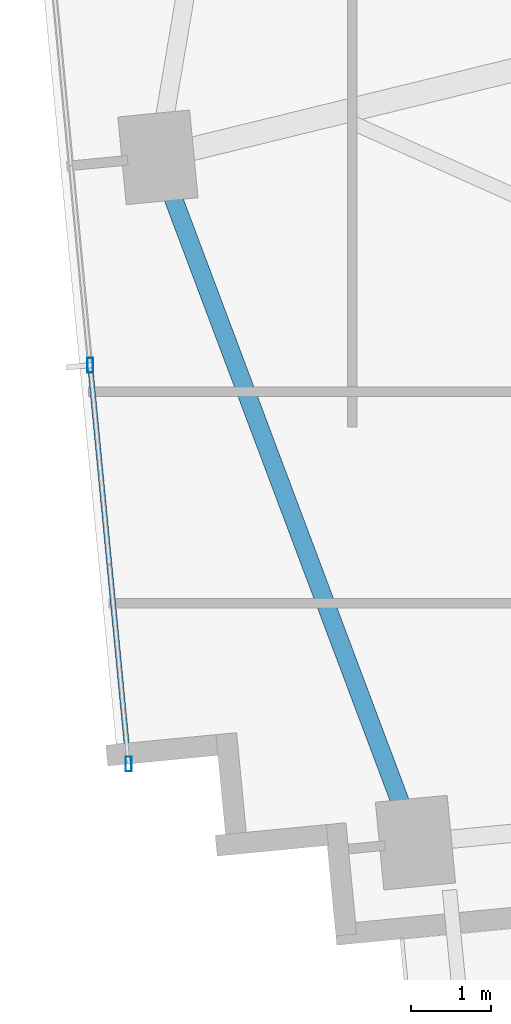
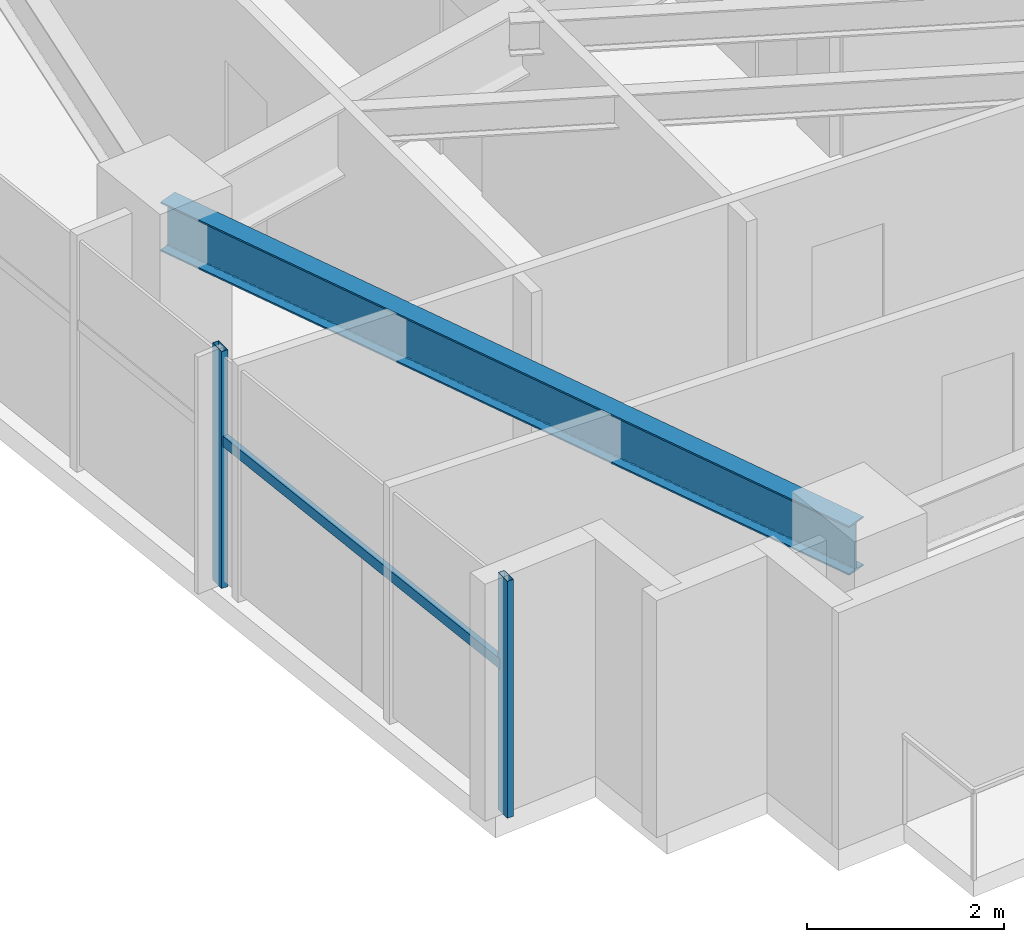
# One storey, part 2 of 25: 3 members, 1 beam, 1 element without a shape of its own.
"""IFC4 building model written with IfcOpenShell, lengths in metres."""

from ifc_helpers import new_model, si_unit, direction, frame, origin, origin_2d, place, context, subcontext, project, spatial, hollow_rectangle, i_section, extrude, source, transform, mapped, material, material_profile, profile_set, type_object, type_shapes, element, aggregate, save


model = new_model("IFC4")

# Units and contexts
model_context = context("Model", 3, precision=1e-05, world=origin(), true_north=direction((0.0, 1.0)))
body_context = subcontext(model_context, "Body", "Model", "MODEL_VIEW")
ifc_project = project(units=[si_unit("LENGTHUNIT", "METRE"), si_unit("AREAUNIT", "SQUARE_METRE"), si_unit("VOLUMEUNIT", "CUBIC_METRE"), si_unit("PLANEANGLEUNIT", "RADIAN"), si_unit("MASSUNIT", "GRAM", prefix="KILO")], contexts=[model_context])

# Site, building, storey
site_placement = place(None, origin())
site = spatial("IfcSite", under=ifc_project, at=site_placement, CompositionType="ELEMENT")
building_placement = place(site_placement, origin())
building = spatial("IfcBuilding", under=site, at=building_placement, Name="Astriad Promenade Condominiums", CompositionType="ELEMENT")
storey_placement = place(building_placement, frame((0.0, 0.0, 103.39990234375)))
storey = spatial("IfcBuildingStorey", under=building, at=storey_placement, Name="L29", CompositionType="ELEMENT", Elevation=103.39990234375)

# Beam
ifc_material_1 = material(Name="Steel ASTM A992 Grade 50", Category="steel")
ifc_material_profile_1 = material_profile(ifc_material_1, i_section(OverallWidth=0.22900390625, OverallDepth=0.612060546875, WebThickness=0.011962890625, FlangeThickness=0.01953125, FilletRadius=0.017822265625, at=origin_2d()), Name="W24X84")
ifc_profile_set_1 = profile_set([ifc_material_profile_1], Name="Steel ASTM A992 Grade 50")
beam_type = type_object("IfcBeamType", Name="STEEL SPANDREL BEAM W24X84", PredefinedType="SPANDREL", material=ifc_profile_set_1)
shared_shape_1 = source(origin(), body_context, "Body", "SweptSolid", [
    extrude(i_section(OverallWidth=0.22900390625, OverallDepth=0.612060546875, WebThickness=0.011962890625, FlangeThickness=0.01953125, FilletRadius=0.017822265625, at=origin_2d()), origin(), (0.0, 0.0, 1.0), 9.055419921875),
])
type_shapes(beam_type, [shared_shape_1])
beam_placement = place(storey_placement, frame((10.765625, 13.523193359375, 2.634033203125), z_axis=(0.351864937141, -0.936050781748, 0.0), x_axis=(0.936050781748, 0.351864937141, 0.0)))
element("IfcBeam", 1, at=beam_placement, inside=storey, type_object=beam_type, Name="Perimeter Spandrel Beam SP-W1-L29", PredefinedType="SPANDREL", context=body_context, shape_type="MappedRepresentation", body=[
    mapped(shared_shape_1, transform((0.0, 0.0, 0.0), scale=1.0)),
])

# Curtain wall, members
ifc_material_2 = material(Name="Anodised aluminium Black Dark Glass Unitised", Category="aluminium")
curtain_wall_type = type_object("IfcCurtainWallType", Name="CW-B2-DARK", PredefinedType="USERDEFINED", material=ifc_material_2)
curtain_wall_placement = place(storey_placement, origin())
curtain_wall = element("IfcCurtainWall", 2, at=curtain_wall_placement, inside=storey, type_object=curtain_wall_type, Name="CW-L29-W", ObjectType="UNITISED_CURTAIN_WALL", PredefinedType="USERDEFINED")
ifc_material_3 = material(Name="Anodised aluminium 6063-T6 Black", Category="aluminium")
ifc_material_profile_2 = material_profile(ifc_material_3, hollow_rectangle(XDim=0.074951171875, YDim=0.18505859375, WallThickness=0.00439453125, at=origin_2d()), Name="ALU-MUL-75X185")
ifc_profile_set_2 = profile_set([ifc_material_profile_2], Name="Anodised aluminium 6063-T6 Black")
member_type_1 = type_object("IfcMemberType", Name="MUL-ALU-MUL-75X185", PredefinedType="MULLION", material=ifc_profile_set_2)
shared_shape_2 = source(origin(), body_context, "Body", "SweptSolid", [
    extrude(hollow_rectangle(XDim=0.074951171875, YDim=0.18505859375, WallThickness=0.00439453125, at=origin_2d()), origin(), (0.0, 0.0, 1.0), 2.940185546875),
])
type_shapes(member_type_1, [shared_shape_2])
member_1_placement = place(storey_placement, frame((10.385498046875, 5.99072265625, 0.0), z_axis=(0.0, 0.0, 1.0), x_axis=(1.0, 0.0, 0.0)))
member_1 = element("IfcMember", 3, at=member_1_placement, type_object=member_type_1, Name="CW-L29-W-MUL-00", PredefinedType="MULLION", context=body_context, shape_type="MappedRepresentation", body=[
    mapped(shared_shape_2, transform((0.0, 0.0, 0.0), scale=1.0)),
])
member_2_placement = place(storey_placement, frame((9.90625, 10.9677734375, 0.0), z_axis=(0.0, 0.0, 1.0), x_axis=(1.0, 0.0, 0.0)))
member_2 = element("IfcMember", 4, at=member_2_placement, type_object=member_type_1, Name="CW-L29-W-MUL-01", PredefinedType="MULLION", context=body_context, shape_type="MappedRepresentation", body=[
    mapped(shared_shape_2, transform((0.0, 0.0, 0.0), scale=1.0)),
])
ifc_material_profile_3 = material_profile(ifc_material_3, hollow_rectangle(XDim=0.06494140625, YDim=0.1298828125, WallThickness=0.00390625, at=origin_2d()), Name="ALU-TRN-65X130")
ifc_profile_set_3 = profile_set([ifc_material_profile_3], Name="Anodised aluminium 6063-T6 Black")
member_type_2 = type_object("IfcMemberType", Name="TRN-ALU-TRN-65X130", PredefinedType="USERDEFINED", material=ifc_profile_set_3)
shared_shape_3 = source(origin(), body_context, "Body", "SweptSolid", [
    extrude(hollow_rectangle(XDim=0.06494140625, YDim=0.1298828125, WallThickness=0.00390625, at=origin_2d()), origin(), (0.0, 0.0, 1.0), 5.0),
])
type_shapes(member_type_2, [shared_shape_3])
member_3_placement = place(storey_placement, frame((10.385498046875, 5.99072265625, 1.822998046875), z_axis=(-0.095848242264, 0.995395958629, 0.0), x_axis=(-0.995395958629, -0.095848242264, 0.0)))
member_3 = element("IfcMember", 5, at=member_3_placement, type_object=member_type_2, Name="CW-L29-W-TRN-00-0", ObjectType="TRANSOM", PredefinedType="USERDEFINED", context=body_context, shape_type="MappedRepresentation", body=[
    mapped(shared_shape_3, transform((0.0, 0.0, 0.0), scale=1.0)),
])
aggregate(curtain_wall, [member_1, member_2, member_3])

save(model, "model.ifc")
